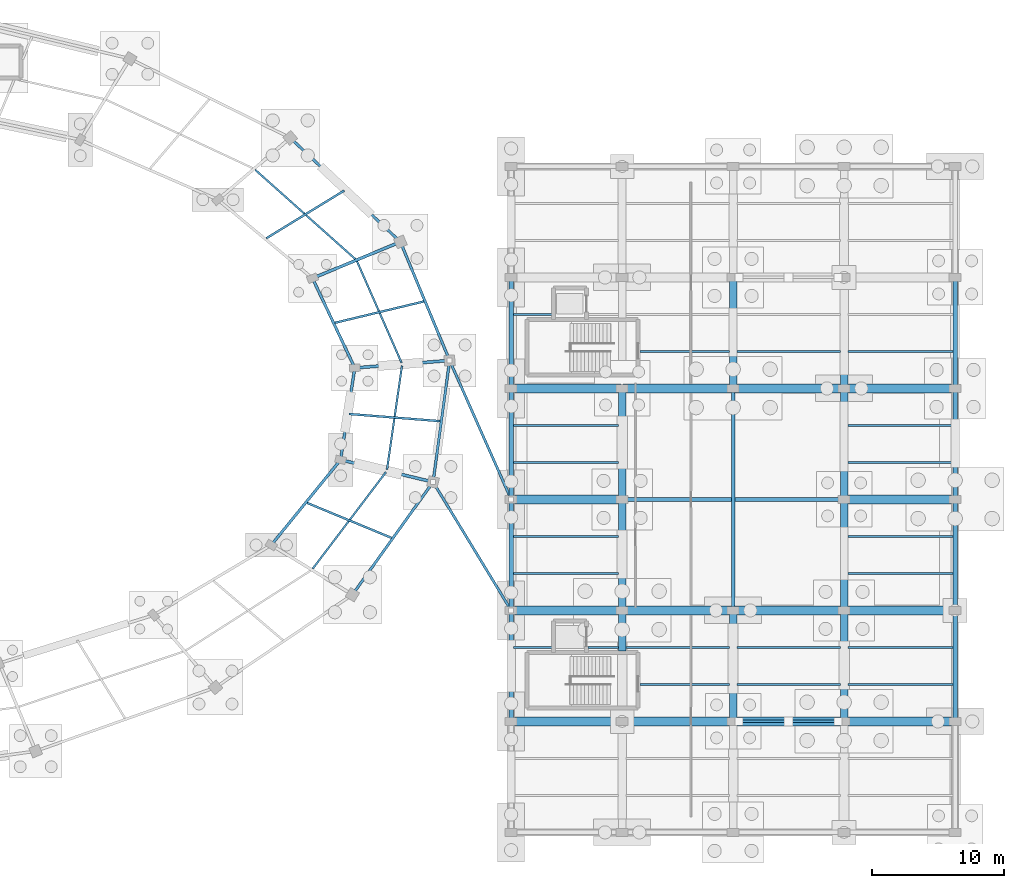
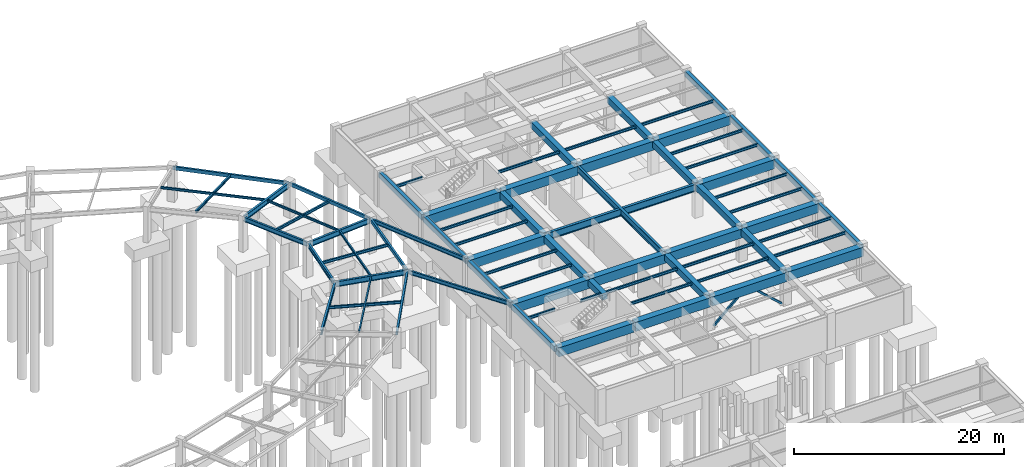
# One storey, part 20 of 38: 73 beams, 2 members.
"""IFC4 building model written with IfcOpenShell, lengths in metres."""

from ifc_helpers import new_model, si_unit, direction, frame, origin, origin_2d, place, context, subcontext, project, spatial, rectangle, hollow_rectangle, i_section, extrude, material, material_profile, profile_set, type_object, element, save


model = new_model("IFC4")

# Units and contexts
model_context = context("Model", 3, precision=1e-05, world=origin(), true_north=direction((0.0, 1.0)))
body_context = subcontext(model_context, "Body", "Model", "MODEL_VIEW")
ifc_project = project(units=[si_unit("LENGTHUNIT", "METRE"), si_unit("AREAUNIT", "SQUARE_METRE"), si_unit("VOLUMEUNIT", "CUBIC_METRE"), si_unit("PLANEANGLEUNIT", "RADIAN"), si_unit("MASSUNIT", "GRAM", prefix="KILO"), si_unit("THERMODYNAMICTEMPERATUREUNIT", "KELVIN"), si_unit("POWERUNIT", "WATT")], contexts=[model_context])

# Site, building, storey
site_placement = place(None, origin())
site = spatial("IfcSite", under=ifc_project, at=site_placement, CompositionType="ELEMENT")
building_placement = place(site_placement, origin())
building = spatial("IfcBuilding", under=site, at=building_placement, Name="Darbajah Civic Hall", CompositionType="ELEMENT")
storey_placement = place(building_placement, frame((0.0, 0.0, -4.199951171875)))
storey = spatial("IfcBuildingStorey", under=building, at=storey_placement, Name="B01", CompositionType="ELEMENT", Elevation=-4.199951171875)

# Beams
ifc_material_1 = material(Name="Concrete C45/55", Category="concrete")
ifc_material_profile_1 = material_profile(ifc_material_1, rectangle(XDim=0.550048828125, YDim=0.75, at=origin_2d()), Name="RC BEAM 550x750")
ifc_profile_set_1 = profile_set([ifc_material_profile_1], Name="Concrete C45/55")
beam_type_1 = type_object("IfcBeamType", Name="RC BEAM 550x750", PredefinedType="BEAM", material=ifc_profile_set_1)
beam_1_placement = place(storey_placement, frame((153.0, 70.139892578125, 3.48486328125), z_axis=(0.0, 1.0, 0.0), x_axis=(-1.0, 0.0, 0.0)))
element("IfcBeam", 1, at=beam_1_placement, inside=storey, type_object=beam_type_1, Name="B01 beam BM-5575", PredefinedType="BEAM", context=body_context, shape_type="SweptSolid", body=[
    extrude(rectangle(XDim=0.550048828125, YDim=0.75, at=origin_2d()), origin(), (0.0, 0.0, 1.0), 2.980224609375),
])
for number, where, z_axis, x_axis, name in (
    (2, (153.0, 73.280029296875, 3.48486328125), (0.0, 1.0, 0.0), (-1.0, 0.0, 0.0), "B01 beam BM-5575"),
    (3, (153.0, 81.679931640625, 3.48486328125), (0.0, 1.0, 0.0), (-1.0, 0.0, 0.0), "B01 beam BM-5575"),
):
    element("IfcBeam", number, at=place(storey_placement, frame(where, z_axis=z_axis, x_axis=x_axis)), inside=storey, type_object=beam_type_1, Name=name, PredefinedType="BEAM", context=body_context, shape_type="SweptSolid", body=[
        extrude(rectangle(XDim=0.550048828125, YDim=0.75, at=origin_2d()), origin(), (0.0, 0.0, 1.0), 8.239990234375),
    ])
beam_2_placement = place(storey_placement, frame((161.39990234375, 64.8798828125, 3.48486328125), z_axis=(0.0, 1.0, 0.0), x_axis=(-1.0, 0.0, 0.0)))
element("IfcBeam", 4, at=beam_2_placement, inside=storey, type_object=beam_type_1, Name="B01 beam BM-5575", PredefinedType="BEAM", context=body_context, shape_type="SweptSolid", body=[
    extrude(rectangle(XDim=0.550048828125, YDim=0.75, at=origin_2d()), origin(), (0.0, 0.0, 1.0), 8.240234375),
])
beam_3_placement = place(storey_placement, frame((161.39990234375, 90.080078125, 3.48486328125), z_axis=(0.0, 1.0, 0.0), x_axis=(-1.0, 0.0, 0.0)))
element("IfcBeam", 5, at=beam_3_placement, inside=storey, type_object=beam_type_1, Name="B01 beam BM-5575", PredefinedType="BEAM", context=body_context, shape_type="SweptSolid", body=[
    extrude(rectangle(XDim=0.550048828125, YDim=0.75, at=origin_2d()), origin(), (0.0, 0.0, 1.0), 8.239990234375),
])
beam_4_placement = place(storey_placement, frame((169.800048828125, 64.8798828125, 3.48486328125), z_axis=(0.0, 1.0, 0.0), x_axis=(-1.0, 0.0, 0.0)))
element("IfcBeam", 6, at=beam_4_placement, inside=storey, type_object=beam_type_1, Name="B01 beam BM-5575", PredefinedType="BEAM", context=body_context, shape_type="SweptSolid", body=[
    extrude(rectangle(XDim=0.550048828125, YDim=0.75, at=origin_2d()), origin(), (0.0, 0.0, 1.0), 8.240234375),
])
for number, where, z_axis, x_axis, name in (
    (7, (169.800048828125, 73.280029296875, 3.48486328125), (0.0, 1.0, 0.0), (-1.0, 0.0, 0.0), "B01 beam BM-5575"),
    (8, (169.800048828125, 81.679931640625, 3.48486328125), (0.0, 1.0, 0.0), (-1.0, 0.0, 0.0), "B01 beam BM-5575"),
    (9, (169.800048828125, 90.080078125, 3.48486328125), (0.0, 1.0, 0.0), (-1.0, 0.0, 0.0), "B01 beam BM-5575"),
):
    element("IfcBeam", number, at=place(storey_placement, frame(where, z_axis=z_axis, x_axis=x_axis)), inside=storey, type_object=beam_type_1, Name=name, PredefinedType="BEAM", context=body_context, shape_type="SweptSolid", body=[
        extrude(rectangle(XDim=0.550048828125, YDim=0.75, at=origin_2d()), origin(), (0.0, 0.0, 1.0), 8.239990234375),
    ])
ifc_material_2 = material(Name="Concrete C50/60", Category="concrete")
ifc_material_profile_2 = material_profile(ifc_material_2, rectangle(XDim=0.699951171875, YDim=1.050048828125, at=origin_2d()), Name="RC GIRDER 700x1050")
ifc_profile_set_2 = profile_set([ifc_material_profile_2], Name="Concrete C50/60")
beam_type_2 = type_object("IfcBeamType", Name="RC GIRDER 700x1050", PredefinedType="BEAM", material=ifc_profile_set_2)
for number, where, z_axis, x_axis, name in (
    (10, (144.679931640625, 64.800048828125, 3.3349609375), (1.0, 0.0, 0.0), (0.0, 1.0, 0.0), "B01 beam BG-7010"),
    (11, (153.080078125, 64.800048828125, 3.3349609375), (1.0, 0.0, 0.0), (0.0, 1.0, 0.0), "B01 beam BG-7010"),
    (12, (161.47998046875, 64.800048828125, 3.3349609375), (1.0, 0.0, 0.0), (0.0, 1.0, 0.0), "B01 beam BG-7010"),
):
    element("IfcBeam", number, at=place(storey_placement, frame(where, z_axis=z_axis, x_axis=x_axis)), inside=storey, type_object=beam_type_2, Name=name, PredefinedType="BEAM", context=body_context, shape_type="SweptSolid", body=[
        extrude(rectangle(XDim=0.699951171875, YDim=1.050048828125, at=origin_2d()), origin(), (0.0, 0.0, 1.0), 8.239990234375),
    ])
beam_5_placement = place(storey_placement, frame((169.8798828125, 64.800048828125, 3.3349609375), z_axis=(1.0, 0.0, 0.0), x_axis=(0.0, 1.0, 0.0)))
element("IfcBeam", 13, at=beam_5_placement, inside=storey, type_object=beam_type_2, Name="B01 beam BG-7010", PredefinedType="BEAM", context=body_context, shape_type="SweptSolid", body=[
    extrude(rectangle(XDim=0.699951171875, YDim=1.050048828125, at=origin_2d()), origin(), (0.0, 0.0, 1.0), 8.240234375),
])
for number, where, z_axis, x_axis, name in (
    (14, (144.679931640625, 73.199951171875, 3.3349609375), (1.0, 0.0, 0.0), (0.0, 1.0, 0.0), "B01 beam BG-7010"),
    (15, (153.080078125, 73.199951171875, 3.3349609375), (1.0, 0.0, 0.0), (0.0, 1.0, 0.0), "B01 beam BG-7010"),
    (16, (161.47998046875, 73.199951171875, 3.3349609375), (1.0, 0.0, 0.0), (0.0, 1.0, 0.0), "B01 beam BG-7010"),
):
    element("IfcBeam", number, at=place(storey_placement, frame(where, z_axis=z_axis, x_axis=x_axis)), inside=storey, type_object=beam_type_2, Name=name, PredefinedType="BEAM", context=body_context, shape_type="SweptSolid", body=[
        extrude(rectangle(XDim=0.699951171875, YDim=1.050048828125, at=origin_2d()), origin(), (0.0, 0.0, 1.0), 8.239990234375),
    ])
beam_6_placement = place(storey_placement, frame((169.8798828125, 73.199951171875, 3.3349609375), z_axis=(1.0, 0.0, 0.0), x_axis=(0.0, 1.0, 0.0)))
element("IfcBeam", 17, at=beam_6_placement, inside=storey, type_object=beam_type_2, Name="B01 beam BG-7010", PredefinedType="BEAM", context=body_context, shape_type="SweptSolid", body=[
    extrude(rectangle(XDim=0.699951171875, YDim=1.050048828125, at=origin_2d()), origin(), (0.0, 0.0, 1.0), 8.240234375),
])
beam_7_placement = place(storey_placement, frame((144.679931640625, 81.60009765625, 3.3349609375), z_axis=(1.0, 0.0, 0.0), x_axis=(0.0, 1.0, 0.0)))
element("IfcBeam", 18, at=beam_7_placement, inside=storey, type_object=beam_type_2, Name="B01 beam BG-7010", PredefinedType="BEAM", context=body_context, shape_type="SweptSolid", body=[
    extrude(rectangle(XDim=0.699951171875, YDim=1.050048828125, at=origin_2d()), origin(), (0.0, 0.0, 1.0), 8.239990234375),
])
beam_8_placement = place(storey_placement, frame((169.8798828125, 81.60009765625, 3.3349609375), z_axis=(1.0, 0.0, 0.0), x_axis=(0.0, 1.0, 0.0)))
element("IfcBeam", 19, at=beam_8_placement, inside=storey, type_object=beam_type_2, Name="B01 beam BG-7010", PredefinedType="BEAM", context=body_context, shape_type="SweptSolid", body=[
    extrude(rectangle(XDim=0.699951171875, YDim=1.050048828125, at=origin_2d()), origin(), (0.0, 0.0, 1.0), 8.240234375),
])
for number, where, z_axis, x_axis, name in (
    (20, (144.679931640625, 90.0, 3.3349609375), (1.0, 0.0, 0.0), (0.0, 1.0, 0.0), "B01 beam BG-7010"),
    (21, (153.080078125, 90.0, 3.3349609375), (1.0, 0.0, 0.0), (0.0, 1.0, 0.0), "B01 beam BG-7010"),
    (22, (161.47998046875, 90.0, 3.3349609375), (1.0, 0.0, 0.0), (0.0, 1.0, 0.0), "B01 beam BG-7010"),
):
    element("IfcBeam", number, at=place(storey_placement, frame(where, z_axis=z_axis, x_axis=x_axis)), inside=storey, type_object=beam_type_2, Name=name, PredefinedType="BEAM", context=body_context, shape_type="SweptSolid", body=[
        extrude(rectangle(XDim=0.699951171875, YDim=1.050048828125, at=origin_2d()), origin(), (0.0, 0.0, 1.0), 8.239990234375),
    ])
beam_9_placement = place(storey_placement, frame((169.8798828125, 90.0, 3.3349609375), z_axis=(1.0, 0.0, 0.0), x_axis=(0.0, 1.0, 0.0)))
element("IfcBeam", 23, at=beam_9_placement, inside=storey, type_object=beam_type_2, Name="B01 beam BG-7010", PredefinedType="BEAM", context=body_context, shape_type="SweptSolid", body=[
    extrude(rectangle(XDim=0.699951171875, YDim=1.050048828125, at=origin_2d()), origin(), (0.0, 0.0, 1.0), 8.240234375),
])
ifc_material_profile_3 = material_profile(ifc_material_1, rectangle(XDim=0.35009765625, YDim=0.64990234375, at=origin_2d()), Name="RC SPANDREL 350x650")
ifc_profile_set_3 = profile_set([ifc_material_profile_3], Name="Concrete C45/55")
beam_type_3 = type_object("IfcBeamType", Name="RC SPANDREL 350x650", PredefinedType="SPANDREL", material=ifc_profile_set_3)
beam_10_placement = place(storey_placement, frame((144.60009765625, 64.8798828125, 3.534912109375), z_axis=(0.0, 1.0, 0.0), x_axis=(-1.0, 0.0, 0.0)))
element("IfcBeam", 24, at=beam_10_placement, inside=storey, type_object=beam_type_3, Name="B01 beam SP-3565", PredefinedType="SPANDREL", context=body_context, shape_type="SweptSolid", body=[
    extrude(rectangle(XDim=0.35009765625, YDim=0.64990234375, at=origin_2d()), origin(), (0.0, 0.0, 1.0), 8.240234375),
])
for number, where, z_axis, x_axis, name in (
    (25, (144.60009765625, 73.280029296875, 3.534912109375), (0.0, 1.0, 0.0), (-1.0, 0.0, 0.0), "B01 beam SP-3565"),
    (26, (144.60009765625, 81.679931640625, 3.534912109375), (0.0, 1.0, 0.0), (-1.0, 0.0, 0.0), "B01 beam SP-3565"),
    (27, (144.60009765625, 90.080078125, 3.534912109375), (0.0, 1.0, 0.0), (-1.0, 0.0, 0.0), "B01 beam SP-3565"),
):
    element("IfcBeam", number, at=place(storey_placement, frame(where, z_axis=z_axis, x_axis=x_axis)), inside=storey, type_object=beam_type_3, Name=name, PredefinedType="SPANDREL", context=body_context, shape_type="SweptSolid", body=[
        extrude(rectangle(XDim=0.35009765625, YDim=0.64990234375, at=origin_2d()), origin(), (0.0, 0.0, 1.0), 8.239990234375),
    ])
beam_11_placement = place(storey_placement, frame((178.199951171875, 64.8798828125, 3.534912109375), z_axis=(0.0, 1.0, 0.0), x_axis=(-1.0, 0.0, 0.0)))
element("IfcBeam", 28, at=beam_11_placement, inside=storey, type_object=beam_type_3, Name="B01 beam SP-3565", PredefinedType="SPANDREL", context=body_context, shape_type="SweptSolid", body=[
    extrude(rectangle(XDim=0.35009765625, YDim=0.64990234375, at=origin_2d()), origin(), (0.0, 0.0, 1.0), 8.240234375),
])
for number, where, z_axis, x_axis, name in (
    (29, (178.199951171875, 73.280029296875, 3.534912109375), (0.0, 1.0, 0.0), (-1.0, 0.0, 0.0), "B01 beam SP-3565"),
    (30, (178.199951171875, 81.679931640625, 3.534912109375), (0.0, 1.0, 0.0), (-1.0, 0.0, 0.0), "B01 beam SP-3565"),
    (31, (178.199951171875, 90.080078125, 3.534912109375), (0.0, 1.0, 0.0), (-1.0, 0.0, 0.0), "B01 beam SP-3565"),
):
    element("IfcBeam", number, at=place(storey_placement, frame(where, z_axis=z_axis, x_axis=x_axis)), inside=storey, type_object=beam_type_3, Name=name, PredefinedType="SPANDREL", context=body_context, shape_type="SweptSolid", body=[
        extrude(rectangle(XDim=0.35009765625, YDim=0.64990234375, at=origin_2d()), origin(), (0.0, 0.0, 1.0), 8.239990234375),
    ])
ifc_material_3 = material(Name="Steel S355JR", Category="steel")
ifc_material_profile_4 = material_profile(ifc_material_3, hollow_rectangle(XDim=0.199951171875, YDim=0.39990234375, WallThickness=0.013916015625, at=origin_2d()), Name="RHS 400x200x14")
ifc_profile_set_4 = profile_set([ifc_material_profile_4], Name="Steel S355JR")
beam_type_4 = type_object("IfcBeamType", Name="RHS 400x200x14", PredefinedType="SPANDREL", material=ifc_profile_set_4)
beam_12_placement = place(storey_placement, frame((139.912109375, 92.1884765625, 3.719970703125), z_axis=(-0.38333984527, 0.923607364104, 0.0), x_axis=(-0.923607364104, -0.38333984527, 0.0)))
element("IfcBeam", 32, at=beam_12_placement, inside=storey, type_object=beam_type_4, Name="B01 beam SP-RHS400", PredefinedType="SPANDREL", context=body_context, shape_type="SweptSolid", body=[
    extrude(hollow_rectangle(XDim=0.199951171875, YDim=0.39990234375, WallThickness=0.013916015625, at=origin_2d()), origin(), (0.0, 0.0, 1.0), 9.556884765625),
])
beam_13_placement = place(storey_placement, frame((136.15966796875, 101.14404296875, 3.719970703125), z_axis=(-0.727199990638, 0.686425650465, 0.0), x_axis=(-0.686425650465, -0.727199990638, 0.0)))
element("IfcBeam", 33, at=beam_13_placement, inside=storey, type_object=beam_type_4, Name="B01 beam SP-RHS400", PredefinedType="SPANDREL", context=body_context, shape_type="SweptSolid", body=[
    extrude(hollow_rectangle(XDim=0.199951171875, YDim=0.39990234375, WallThickness=0.013916015625, at=origin_2d()), origin(), (0.0, 0.0, 1.0), 11.3046875),
])
beam_14_placement = place(storey_placement, frame((132.631103515625, 74.451416015625, 3.719970703125), z_axis=(0.58222165068, 0.813030103674, 0.0), x_axis=(-0.813030103674, 0.58222165068, 0.0)))
element("IfcBeam", 34, at=beam_14_placement, inside=storey, type_object=beam_type_4, Name="B01 beam SP-RHS400", PredefinedType="SPANDREL", context=body_context, shape_type="SweptSolid", body=[
    extrude(hollow_rectangle(XDim=0.199951171875, YDim=0.39990234375, WallThickness=0.013916015625, at=origin_2d()), origin(), (0.0, 0.0, 1.0), 10.327880859375),
])
beam_15_placement = place(storey_placement, frame((138.70166015625, 82.99267578125, 3.719970703125), z_axis=(0.134807575565, 0.990871796738, 0.0), x_axis=(-0.990871796738, 0.134807575565, 0.0)))
element("IfcBeam", 35, at=beam_15_placement, inside=storey, type_object=beam_type_4, Name="B01 beam SP-RHS400", PredefinedType="SPANDREL", context=body_context, shape_type="SweptSolid", body=[
    extrude(hollow_rectangle(XDim=0.199951171875, YDim=0.39990234375, WallThickness=0.013916015625, at=origin_2d()), origin(), (0.0, 0.0, 1.0), 9.125732421875),
])

# Members
ifc_material_profile_5 = material_profile(ifc_material_3, hollow_rectangle(XDim=0.199951171875, YDim=0.199951171875, WallThickness=0.010009765625, at=origin_2d()), Name="SHS 200x200x10")
ifc_profile_set_5 = profile_set([ifc_material_profile_5], Name="Steel S355JR")
member_type = type_object("IfcMemberType", Name="SHS 200x200x10", PredefinedType="BRACE", material=ifc_profile_set_5)
member_1_placement = place(storey_placement, frame((161.85009765625, 64.800048828125, 0.199951171875), z_axis=(0.742254478498, 0.0, 0.67011811582), x_axis=(0.0, 1.0, 0.0)))
element("IfcMember", 36, at=member_1_placement, inside=storey, type_object=member_type, Name="B01 lateral chevron brace BR-B01-5-L", PredefinedType="BRACE", context=body_context, shape_type="SweptSolid", body=[
    extrude(hollow_rectangle(XDim=0.199951171875, YDim=0.199951171875, WallThickness=0.010009765625, at=origin_2d()), origin(), (0.0, 0.0, 1.0), 4.849853515625),
])
member_2_placement = place(storey_placement, frame((169.35009765625, 64.800048828125, 0.199951171875), z_axis=(-0.742277082557, 0.0, 0.670093077648), x_axis=(0.0, -1.0, 0.0)))
element("IfcMember", 37, at=member_2_placement, inside=storey, type_object=member_type, Name="B01 lateral chevron brace BR-B01-5-R", PredefinedType="BRACE", context=body_context, shape_type="SweptSolid", body=[
    extrude(hollow_rectangle(XDim=0.199951171875, YDim=0.199951171875, WallThickness=0.010009765625, at=origin_2d()), origin(), (0.0, 0.0, 1.0), 4.85009765625),
])

# Beams
ifc_material_profile_6 = material_profile(ifc_material_3, i_section(OverallWidth=0.146484375, OverallDepth=0.256103515625, WebThickness=0.00634765625, FlangeThickness=0.010986328125, FilletRadius=0.007568359375, at=origin_2d()), Name="UB 254x146x37")
ifc_profile_set_6 = profile_set([ifc_material_profile_6], Name="Steel S355JR")
beam_type_5 = type_object("IfcBeamType", Name="UB 254x146x37", PredefinedType="JOIST", material=ifc_profile_set_6)
beam_16_placement = place(storey_placement, frame((136.30712890625, 91.938232421875, 3.7919921875), z_axis=(-0.402231491777, 0.915537998678, 0.0), x_axis=(-0.915537998678, -0.402231491777, 0.0)))
element("IfcBeam", 38, at=beam_16_placement, inside=storey, type_object=beam_type_5, Name="B01 beam SJ-254", PredefinedType="JOIST", context=body_context, shape_type="SweptSolid", body=[
    extrude(i_section(OverallWidth=0.146484375, OverallDepth=0.256103515625, WebThickness=0.00634765625, FlangeThickness=0.010986328125, FilletRadius=0.007568359375, at=origin_2d()), origin(), (0.0, 0.0, 1.0), 8.374267578125),
])
beam_17_placement = place(storey_placement, frame((132.805419921875, 99.788818359375, 3.7919921875), z_axis=(-0.746395859773, 0.665502231787, 0.0), x_axis=(-0.665502231787, -0.746395859773, 0.0)))
element("IfcBeam", 39, at=beam_17_placement, inside=storey, type_object=beam_type_5, Name="B01 beam SJ-254", PredefinedType="JOIST", context=body_context, shape_type="SweptSolid", body=[
    extrude(i_section(OverallWidth=0.146484375, OverallDepth=0.256103515625, WebThickness=0.00634765625, FlangeThickness=0.010986328125, FilletRadius=0.007568359375, at=origin_2d()), origin(), (0.0, 0.0, 1.0), 10.149658203125),
])
beam_18_placement = place(storey_placement, frame((129.585205078125, 76.359619140625, 3.7919921875), z_axis=(0.604101851083, 0.796907117246, 0.0), x_axis=(-0.796907117246, 0.604101851083, 0.0)))
element("IfcBeam", 40, at=beam_18_placement, inside=storey, type_object=beam_type_5, Name="B01 beam SJ-254", PredefinedType="JOIST", context=body_context, shape_type="SweptSolid", body=[
    extrude(i_section(OverallWidth=0.146484375, OverallDepth=0.256103515625, WebThickness=0.00634765625, FlangeThickness=0.010986328125, FilletRadius=0.007568359375, at=origin_2d()), origin(), (0.0, 0.0, 1.0), 9.16259765625),
])
beam_19_placement = place(storey_placement, frame((135.206787109375, 83.86865234375, 3.7919921875), z_axis=(0.142580747671, 0.989783173424, 0.0), x_axis=(-0.989783173424, 0.142580747671, 0.0)))
element("IfcBeam", 41, at=beam_19_placement, inside=storey, type_object=beam_type_5, Name="B01 beam SJ-254", PredefinedType="JOIST", context=body_context, shape_type="SweptSolid", body=[
    extrude(i_section(OverallWidth=0.146484375, OverallDepth=0.256103515625, WebThickness=0.00634765625, FlangeThickness=0.010986328125, FilletRadius=0.007568359375, at=origin_2d()), origin(), (0.0, 0.0, 1.0), 7.9296875),
])
ifc_material_profile_7 = material_profile(ifc_material_3, i_section(OverallWidth=0.165771484375, OverallDepth=0.306640625, WebThickness=0.006591796875, FlangeThickness=0.01171875, FilletRadius=0.0087890625, at=origin_2d()), Name="UB 305x165x46")
ifc_profile_set_7 = profile_set([ifc_material_profile_7], Name="Steel S355JR")
beam_type_6 = type_object("IfcBeamType", Name="UB 305x165x46", PredefinedType="JOIST", material=ifc_profile_set_7)
beam_20_placement = place(storey_placement, frame((131.2685546875, 94.96630859375, 3.7666015625), z_axis=(0.972369643286, 0.233446518106, 0.0), x_axis=(-0.233446518106, 0.972369643286, 0.0)))
element("IfcBeam", 42, at=beam_20_placement, inside=storey, type_object=beam_type_6, Name="B01 beam SJ-305", PredefinedType="JOIST", context=body_context, shape_type="SweptSolid", body=[
    extrude(i_section(OverallWidth=0.165771484375, OverallDepth=0.306640625, WebThickness=0.006591796875, FlangeThickness=0.01171875, FilletRadius=0.0087890625, at=origin_2d()), origin(), (0.0, 0.0, 1.0), 6.9033203125),
])
beam_21_placement = place(storey_placement, frame((126.076171875, 101.363525390625, 3.7666015625), z_axis=(0.852634287744, 0.522508154351, 0.0), x_axis=(-0.522508154351, 0.852634287744, 0.0)))
element("IfcBeam", 43, at=beam_21_placement, inside=storey, type_object=beam_type_6, Name="B01 beam SJ-305", PredefinedType="JOIST", context=body_context, shape_type="SweptSolid", body=[
    extrude(i_section(OverallWidth=0.165771484375, OverallDepth=0.306640625, WebThickness=0.006591796875, FlangeThickness=0.01171875, FilletRadius=0.0087890625, at=origin_2d()), origin(), (0.0, 0.0, 1.0), 6.903564453125),
])
for number, where, z_axis, x_axis, name in (
    (44, (129.16552734375, 81.330810546875, 3.7666015625), (0.923878471007, -0.382685995053, 0.0), (0.382685995053, 0.923878471007, 0.0), "B01 beam SJ-305"),
    (45, (132.3330078125, 88.063720703125, 3.7666015625), (0.996916012499, -0.078475881788, 0.0), (0.078475881788, 0.996916012499, 0.0), "B01 beam SJ-305"),
):
    element("IfcBeam", number, at=place(storey_placement, frame(where, z_axis=z_axis, x_axis=x_axis)), inside=storey, type_object=beam_type_6, Name=name, PredefinedType="JOIST", context=body_context, shape_type="SweptSolid", body=[
        extrude(i_section(OverallWidth=0.165771484375, OverallDepth=0.306640625, WebThickness=0.006591796875, FlangeThickness=0.01171875, FilletRadius=0.0087890625, at=origin_2d()), origin(), (0.0, 0.0, 1.0), 6.9033203125),
    ])
beam_22_placement = place(storey_placement, frame((144.77490234375, 70.39990234375, 3.70654296875), z_axis=(1.0, 0.0, 0.0), x_axis=(0.0, 1.0, 0.0)))
element("IfcBeam", 46, at=beam_22_placement, inside=storey, type_object=beam_type_6, Name="B01 beam SJ-305", PredefinedType="JOIST", context=body_context, shape_type="SweptSolid", body=[
    extrude(i_section(OverallWidth=0.165771484375, OverallDepth=0.306640625, WebThickness=0.006591796875, FlangeThickness=0.01171875, FilletRadius=0.0087890625, at=origin_2d()), origin(), (0.0, 0.0, 1.0), 2.905029296875),
])
beam_23_placement = place(storey_placement, frame((150.419921875, 70.39990234375, 3.70654296875), z_axis=(1.0, 0.0, 0.0), x_axis=(0.0, 1.0, 0.0)))
element("IfcBeam", 47, at=beam_23_placement, inside=storey, type_object=beam_type_6, Name="B01 beam SJ-305", PredefinedType="JOIST", context=body_context, shape_type="SweptSolid", body=[
    extrude(i_section(OverallWidth=0.165771484375, OverallDepth=0.306640625, WebThickness=0.006591796875, FlangeThickness=0.01171875, FilletRadius=0.0087890625, at=origin_2d()), origin(), (0.0, 0.0, 1.0), 2.30517578125),
])
for number, where, z_axis, x_axis, name in (
    (48, (144.77490234375, 76.0, 3.70654296875), (1.0, 0.0, 0.0), (0.0, 1.0, 0.0), "B01 beam SJ-305"),
    (49, (144.77490234375, 78.800048828125, 3.70654296875), (1.0, 0.0, 0.0), (0.0, 1.0, 0.0), "B01 beam SJ-305"),
    (50, (144.77490234375, 84.39990234375, 3.70654296875), (1.0, 0.0, 0.0), (0.0, 1.0, 0.0), "B01 beam SJ-305"),
    (51, (144.77490234375, 87.199951171875, 3.70654296875), (1.0, 0.0, 0.0), (0.0, 1.0, 0.0), "B01 beam SJ-305"),
):
    element("IfcBeam", number, at=place(storey_placement, frame(where, z_axis=z_axis, x_axis=x_axis)), inside=storey, type_object=beam_type_6, Name=name, PredefinedType="JOIST", context=body_context, shape_type="SweptSolid", body=[
        extrude(i_section(OverallWidth=0.165771484375, OverallDepth=0.306640625, WebThickness=0.006591796875, FlangeThickness=0.01171875, FilletRadius=0.0087890625, at=origin_2d()), origin(), (0.0, 0.0, 1.0), 7.9501953125),
    ])
beam_24_placement = place(storey_placement, frame((144.77490234375, 95.60009765625, 3.70654296875), z_axis=(1.0, 0.0, 0.0), x_axis=(0.0, 1.0, 0.0)))
element("IfcBeam", 52, at=beam_24_placement, inside=storey, type_object=beam_type_6, Name="B01 beam SJ-305", PredefinedType="JOIST", context=body_context, shape_type="SweptSolid", body=[
    extrude(i_section(OverallWidth=0.165771484375, OverallDepth=0.306640625, WebThickness=0.006591796875, FlangeThickness=0.01171875, FilletRadius=0.0087890625, at=origin_2d()), origin(), (0.0, 0.0, 1.0), 2.905029296875),
])
beam_25_placement = place(storey_placement, frame((154.340087890625, 67.60009765625, 3.70654296875), z_axis=(1.0, 0.0, 0.0), x_axis=(0.0, 1.0, 0.0)))
element("IfcBeam", 53, at=beam_25_placement, inside=storey, type_object=beam_type_6, Name="B01 beam SJ-305", PredefinedType="JOIST", context=body_context, shape_type="SweptSolid", body=[
    extrude(i_section(OverallWidth=0.165771484375, OverallDepth=0.306640625, WebThickness=0.006591796875, FlangeThickness=0.01171875, FilletRadius=0.0087890625, at=origin_2d()), origin(), (0.0, 0.0, 1.0), 6.784912109375),
])
beam_26_placement = place(storey_placement, frame((153.27490234375, 70.39990234375, 3.70654296875), z_axis=(1.0, 0.0, 0.0), x_axis=(0.0, 1.0, 0.0)))
element("IfcBeam", 54, at=beam_26_placement, inside=storey, type_object=beam_type_6, Name="B01 beam SJ-305", PredefinedType="JOIST", context=body_context, shape_type="SweptSolid", body=[
    extrude(i_section(OverallWidth=0.165771484375, OverallDepth=0.306640625, WebThickness=0.006591796875, FlangeThickness=0.01171875, FilletRadius=0.0087890625, at=origin_2d()), origin(), (0.0, 0.0, 1.0), 7.85009765625),
])
beam_27_placement = place(storey_placement, frame((154.340087890625, 92.800048828125, 3.70654296875), z_axis=(1.0, 0.0, 0.0), x_axis=(0.0, 1.0, 0.0)))
element("IfcBeam", 55, at=beam_27_placement, inside=storey, type_object=beam_type_6, Name="B01 beam SJ-305", PredefinedType="JOIST", context=body_context, shape_type="SweptSolid", body=[
    extrude(i_section(OverallWidth=0.165771484375, OverallDepth=0.306640625, WebThickness=0.006591796875, FlangeThickness=0.01171875, FilletRadius=0.0087890625, at=origin_2d()), origin(), (0.0, 0.0, 1.0), 6.784912109375),
])
for number, where, z_axis, x_axis, name in (
    (56, (161.675048828125, 67.60009765625, 3.70654296875), (1.0, 0.0, 0.0), (0.0, 1.0, 0.0), "B01 beam SJ-305"),
    (57, (161.675048828125, 70.39990234375, 3.70654296875), (1.0, 0.0, 0.0), (0.0, 1.0, 0.0), "B01 beam SJ-305"),
    (58, (161.675048828125, 92.800048828125, 3.70654296875), (1.0, 0.0, 0.0), (0.0, 1.0, 0.0), "B01 beam SJ-305"),
):
    element("IfcBeam", number, at=place(storey_placement, frame(where, z_axis=z_axis, x_axis=x_axis)), inside=storey, type_object=beam_type_6, Name=name, PredefinedType="JOIST", context=body_context, shape_type="SweptSolid", body=[
        extrude(i_section(OverallWidth=0.165771484375, OverallDepth=0.306640625, WebThickness=0.006591796875, FlangeThickness=0.01171875, FilletRadius=0.0087890625, at=origin_2d()), origin(), (0.0, 0.0, 1.0), 7.849853515625),
    ])
for number, where, z_axis, x_axis, name in (
    (59, (170.074951171875, 67.60009765625, 3.70654296875), (1.0, 0.0, 0.0), (0.0, 1.0, 0.0), "B01 beam SJ-305"),
    (60, (170.074951171875, 70.39990234375, 3.70654296875), (1.0, 0.0, 0.0), (0.0, 1.0, 0.0), "B01 beam SJ-305"),
    (61, (170.074951171875, 76.0, 3.70654296875), (1.0, 0.0, 0.0), (0.0, 1.0, 0.0), "B01 beam SJ-305"),
    (62, (170.074951171875, 78.800048828125, 3.70654296875), (1.0, 0.0, 0.0), (0.0, 1.0, 0.0), "B01 beam SJ-305"),
    (63, (170.074951171875, 84.39990234375, 3.70654296875), (1.0, 0.0, 0.0), (0.0, 1.0, 0.0), "B01 beam SJ-305"),
    (64, (170.074951171875, 87.199951171875, 3.70654296875), (1.0, 0.0, 0.0), (0.0, 1.0, 0.0), "B01 beam SJ-305"),
    (65, (170.074951171875, 92.800048828125, 3.70654296875), (1.0, 0.0, 0.0), (0.0, 1.0, 0.0), "B01 beam SJ-305"),
):
    element("IfcBeam", number, at=place(storey_placement, frame(where, z_axis=z_axis, x_axis=x_axis)), inside=storey, type_object=beam_type_6, Name=name, PredefinedType="JOIST", context=body_context, shape_type="SweptSolid", body=[
        extrude(i_section(OverallWidth=0.165771484375, OverallDepth=0.306640625, WebThickness=0.006591796875, FlangeThickness=0.01171875, FilletRadius=0.0087890625, at=origin_2d()), origin(), (0.0, 0.0, 1.0), 7.949951171875),
    ])
ifc_material_profile_8 = material_profile(ifc_material_3, i_section(OverallWidth=0.1904296875, OverallDepth=0.45703125, WebThickness=0.009033203125, FlangeThickness=0.014404296875, FilletRadius=0.01025390625, at=origin_2d()), Name="UB 457x191x74")
ifc_profile_set_8 = profile_set([ifc_material_profile_8], Name="Steel S355JR")
beam_type_7 = type_object("IfcBeamType", Name="UB 457x191x74", PredefinedType="BEAM", material=ifc_profile_set_8)
beam_28_placement = place(storey_placement, frame((139.967041015625, 92.0595703125, 3.661376953125), z_axis=(0.40498560318, -0.914323061733, 0.0), x_axis=(0.914323061733, 0.40498560318, 0.0)))
element("IfcBeam", 66, at=beam_28_placement, inside=storey, type_object=beam_type_7, Name="B01 beam SB-457", PredefinedType="BEAM", context=body_context, shape_type="SweptSolid", body=[
    extrude(i_section(OverallWidth=0.1904296875, OverallDepth=0.45703125, WebThickness=0.009033203125, FlangeThickness=0.014404296875, FilletRadius=0.01025390625, at=origin_2d()), origin(), (0.0, 0.0, 1.0), 11.3798828125),
])
beam_29_placement = place(storey_placement, frame((138.72216796875, 82.862060546875, 3.661376953125), z_axis=(0.519726613867, -0.854332632432, 0.0), x_axis=(0.854332632432, 0.519726613867, 0.0)))
element("IfcBeam", 67, at=beam_29_placement, inside=storey, type_object=beam_type_7, Name="B01 beam SB-457", PredefinedType="BEAM", context=body_context, shape_type="SweptSolid", body=[
    extrude(i_section(OverallWidth=0.1904296875, OverallDepth=0.45703125, WebThickness=0.009033203125, FlangeThickness=0.014404296875, FilletRadius=0.01025390625, at=origin_2d()), origin(), (0.0, 0.0, 1.0), 11.24951171875),
])
ifc_material_profile_9 = material_profile(ifc_material_3, i_section(OverallWidth=0.209228515625, OverallDepth=0.533203125, WebThickness=0.010009765625, FlangeThickness=0.015625, FilletRadius=0.0126953125, at=origin_2d()), Name="UB 533x210x92")
ifc_profile_set_9 = profile_set([ifc_material_profile_9], Name="Steel S355JR")
beam_type_8 = type_object("IfcBeamType", Name="UB 533x210x92", PredefinedType="BEAM", material=ifc_profile_set_9)
beam_30_placement = place(storey_placement, frame((132.73095703125, 91.6220703125, 3.6533203125), z_axis=(-0.426514469485, 0.904480739054, 0.0), x_axis=(-0.904480739054, -0.426514469485, 0.0)))
element("IfcBeam", 68, at=beam_30_placement, inside=storey, type_object=beam_type_8, Name="B01 beam SB-533", PredefinedType="BEAM", context=body_context, shape_type="SweptSolid", body=[
    extrude(i_section(OverallWidth=0.209228515625, OverallDepth=0.533203125, WebThickness=0.010009765625, FlangeThickness=0.015625, FilletRadius=0.0126953125, at=origin_2d()), origin(), (0.0, 0.0, 1.0), 7.340576171875),
])
beam_31_placement = place(storey_placement, frame((126.49609375, 78.21044921875, 3.6533203125), z_axis=(0.631114659221, 0.775689555761, 0.0), x_axis=(-0.775689555761, 0.631114659221, 0.0)))
element("IfcBeam", 69, at=beam_31_placement, inside=storey, type_object=beam_type_8, Name="B01 beam SB-533", PredefinedType="BEAM", context=body_context, shape_type="SweptSolid", body=[
    extrude(i_section(OverallWidth=0.209228515625, OverallDepth=0.533203125, WebThickness=0.010009765625, FlangeThickness=0.015625, FilletRadius=0.0126953125, at=origin_2d()), origin(), (0.0, 0.0, 1.0), 8.149658203125),
])
beam_32_placement = place(storey_placement, frame((131.701904296875, 84.67333984375, 3.6533203125), z_axis=(0.152777334871, 0.988260636649, 0.0), x_axis=(-0.988260636649, 0.152777334871, 0.0)))
element("IfcBeam", 70, at=beam_32_placement, inside=storey, type_object=beam_type_8, Name="B01 beam SB-533", PredefinedType="BEAM", context=body_context, shape_type="SweptSolid", body=[
    extrude(i_section(OverallWidth=0.209228515625, OverallDepth=0.533203125, WebThickness=0.010009765625, FlangeThickness=0.015625, FilletRadius=0.0126953125, at=origin_2d()), origin(), (0.0, 0.0, 1.0), 6.8779296875),
])
ifc_material_profile_10 = material_profile(ifc_material_3, i_section(OverallWidth=0.228271484375, OverallDepth=0.607666015625, WebThickness=0.010986328125, FlangeThickness=0.017333984375, FilletRadius=0.0126953125, at=origin_2d()), Name="UB 610x229x113")
ifc_profile_set_10 = profile_set([ifc_material_profile_10], Name="Steel S355JR")
beam_type_9 = type_object("IfcBeamType", Name="UB 610x229x113", PredefinedType="BEAM", material=ifc_profile_set_10)
for number, where, z_axis, x_axis, name in (
    (71, (132.8447265625, 91.555908203125, 3.6162109375), (0.996918521601, 0.078444000969, 0.0), (-0.078444000969, 0.996918521601, 0.0), "B01 beam SB-610"),
    (72, (129.639892578125, 98.364501953125, 3.6162109375), (0.923880311259, 0.382681552297, 0.0), (-0.382681552297, 0.923880311259, 0.0), "B01 beam SB-610"),
    (73, (131.767578125, 84.575439453125, 3.6162109375), (0.972374394108, -0.233426728726, 0.0), (0.233426728726, 0.972374394108, 0.0), "B01 beam SB-610"),
):
    element("IfcBeam", number, at=place(storey_placement, frame(where, z_axis=z_axis, x_axis=x_axis)), inside=storey, type_object=beam_type_9, Name=name, PredefinedType="BEAM", context=body_context, shape_type="SweptSolid", body=[
        extrude(i_section(OverallWidth=0.228271484375, OverallDepth=0.607666015625, WebThickness=0.010986328125, FlangeThickness=0.017333984375, FilletRadius=0.0126953125, at=origin_2d()), origin(), (0.0, 0.0, 1.0), 7.0400390625),
    ])
ifc_material_profile_11 = material_profile(ifc_material_3, i_section(OverallWidth=0.2666015625, OverallDepth=0.76220703125, WebThickness=0.014404296875, FlangeThickness=0.021484375, FilletRadius=0.0166015625, at=origin_2d()), Name="UB 762x267x173")
ifc_profile_set_11 = profile_set([ifc_material_profile_11], Name="Steel S355JR")
beam_type_10 = type_object("IfcBeamType", Name="UB 762x267x173", PredefinedType="BEAM", material=ifc_profile_set_11)
beam_33_placement = place(storey_placement, frame((161.39990234375, 73.280029296875, 3.478759765625), z_axis=(0.0, 1.0, 0.0), x_axis=(-1.0, 0.0, 0.0)))
element("IfcBeam", 74, at=beam_33_placement, inside=storey, type_object=beam_type_10, Name="B01 beam SB-762", PredefinedType="BEAM", context=body_context, shape_type="SweptSolid", body=[
    extrude(i_section(OverallWidth=0.2666015625, OverallDepth=0.76220703125, WebThickness=0.014404296875, FlangeThickness=0.021484375, FilletRadius=0.0166015625, at=origin_2d()), origin(), (0.0, 0.0, 1.0), 16.699951171875),
])
ifc_material_profile_12 = material_profile(ifc_material_3, i_section(OverallWidth=0.29248046875, OverallDepth=0.8408203125, WebThickness=0.0146484375, FlangeThickness=0.021728515625, FilletRadius=0.017822265625, at=origin_2d()), Name="UB 838x292x194")
ifc_profile_set_12 = profile_set([ifc_material_profile_12], Name="Steel S355JR")
beam_type_11 = type_object("IfcBeamType", Name="UB 838x292x194", PredefinedType="BEAM", material=ifc_profile_set_12)
beam_34_placement = place(storey_placement, frame((153.080078125, 81.60009765625, 3.439453125), z_axis=(1.0, 0.0, 0.0), x_axis=(0.0, 1.0, 0.0)))
element("IfcBeam", 75, at=beam_34_placement, inside=storey, type_object=beam_type_11, Name="B01 beam SB-838", PredefinedType="BEAM", context=body_context, shape_type="SweptSolid", body=[
    extrude(i_section(OverallWidth=0.29248046875, OverallDepth=0.8408203125, WebThickness=0.0146484375, FlangeThickness=0.021728515625, FilletRadius=0.017822265625, at=origin_2d()), origin(), (0.0, 0.0, 1.0), 16.639892578125),
])

save(model, "model.ifc")
